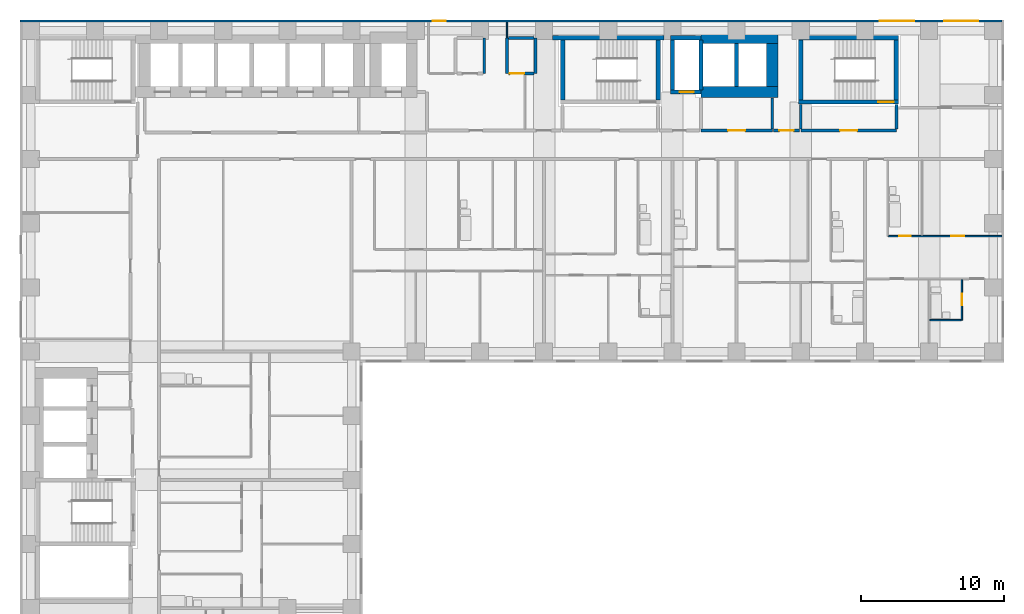
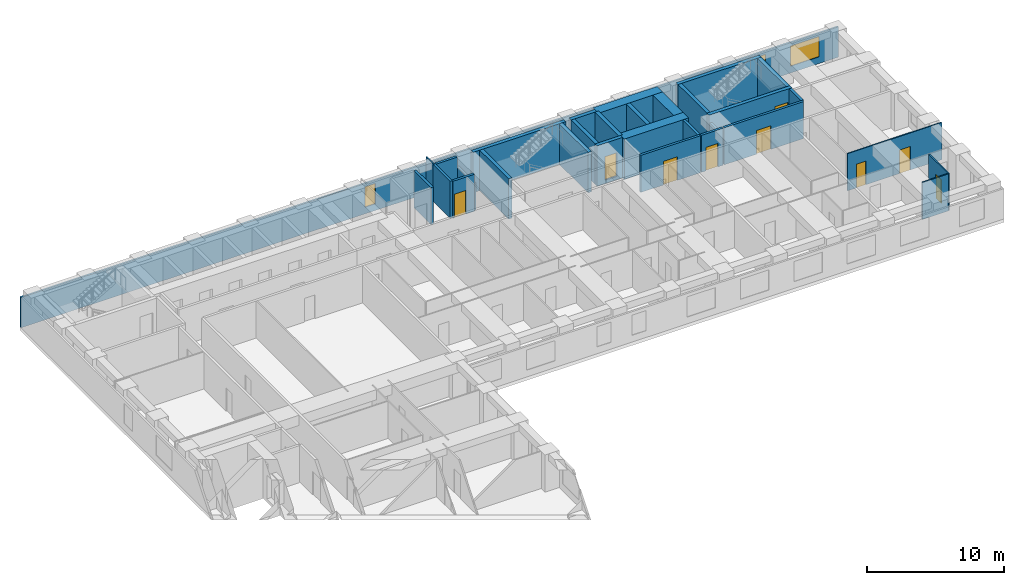
# One storey, part 8 of 12: 31 walls, 9 doors, 3 windows, 12 openings.
"""IFC4 building model written with IfcOpenShell, lengths in metres."""

from ifc_helpers import new_model, si_unit, direction, frame, frame_2d, origin, place, context, subcontext, project, spatial, rectangle, extrude, material, layer, layer_set, type_object, element, fill, save


model = new_model("IFC4")

# Units and contexts
model_context = context("Model", 3, precision=1e-05, world=origin(), true_north=direction((0.0, 1.0)))
body_context = subcontext(model_context, "Body", "Model", "MODEL_VIEW")
ifc_project = project(units=[si_unit("LENGTHUNIT", "METRE"), si_unit("AREAUNIT", "SQUARE_METRE"), si_unit("VOLUMEUNIT", "CUBIC_METRE"), si_unit("PLANEANGLEUNIT", "RADIAN"), si_unit("MASSUNIT", "GRAM", prefix="KILO")], contexts=[model_context])

# Site, building, storey
site_placement = place(None, origin())
site = spatial("IfcSite", under=ifc_project, at=site_placement, CompositionType="ELEMENT")
building_placement = place(site_placement, origin())
building = spatial("IfcBuilding", under=site, at=building_placement, Name="Firuza Court", CompositionType="ELEMENT")
storey_placement = place(building_placement, frame((0.0, 0.0, 65.0)))
storey = spatial("IfcBuildingStorey", under=building, at=storey_placement, Name="L15", CompositionType="ELEMENT", Elevation=65.0)

# Wall
ifc_material_1 = material(Name="Moisture-resistant gypsum board partition")
ifc_layer_1 = layer(ifc_material_1, 0.10009765625)
ifc_layer_set_1 = layer_set([ifc_layer_1], Name="Moisture-resistant gypsum board partition")
wall_type_1 = type_object("IfcWallType", Name="Bathroom partition 100", PredefinedType="PLUMBINGWALL", material=ifc_layer_set_1)
wall_1_placement = place(storey_placement, frame((63.050048828125, 38.199951171875, 0.0), z_axis=(0.0, 0.0, 1.0), x_axis=(1.0, 0.0, 0.0)))
element("IfcWall", 1, at=wall_1_placement, inside=storey, type_object=wall_type_1, Name="Bathroom partition 100 L15", PredefinedType="PLUMBINGWALL", context=body_context, shape_type="SweptSolid", body=[
    extrude(rectangle(XDim=2.199951171875, YDim=0.10009765625, at=frame_2d((1.10009765625, 0.0))), origin(), (0.0, 0.0, 1.0), 3.300048828125),
])

# Wall, opening, door
wall_2_placement = place(storey_placement, frame((65.300048828125, 38.199951171875, 0.0), z_axis=(0.0, 0.0, 1.0), x_axis=(0.0, 1.0, 0.0)))
wall_2 = element("IfcWall", 2, at=wall_2_placement, inside=storey, type_object=wall_type_1, Name="Bathroom partition 100 L15", PredefinedType="PLUMBINGWALL", context=body_context, shape_type="SweptSolid", body=[
    extrude(rectangle(XDim=2.85009765625, YDim=0.10009765625, at=frame_2d((1.425048828125, 0.0))), origin(), (0.0, 0.0, 1.0), 3.300048828125),
])
opening_1_placement = place(wall_2_placement, frame((1.050048828125, 0.0, 0.0)))
opening_1 = element("IfcOpeningElement", 3, at=opening_1_placement, cuts=wall_2, Name="Opening D15045", PredefinedType="OPENING", context=body_context, shape_type="SweptSolid", body=[
    extrude(rectangle(XDim=0.800048828125, YDim=2.10009765625, at=frame_2d((0.39990234375, 1.050048828125))), frame((0.0, 0.06201171875, 0.0), z_axis=(0.0, -1.0, 0.0), x_axis=(1.0, 0.0, 0.0)), (0.0, 0.0, 1.0), 0.1240234375),
])
ifc_material_2 = material(Name="Timber door leaf in hardwood frame", Category="wood")
door_type_1 = type_object("IfcDoorType", Name="Bathroom door 800", OperationType="SINGLE_SWING_LEFT", PredefinedType="DOOR", material=ifc_material_2)
door_1_placement = place(opening_1_placement, origin())
door_1 = element("IfcDoor", 4, at=door_1_placement, inside=storey, type_object=door_type_1, Name="En-suite door", OperationType="SINGLE_SWING_LEFT", OverallHeight=2.10009765625, OverallWidth=0.800048828125, PredefinedType="DOOR", context=body_context, shape_type="SweptSolid", body=[
    extrude(rectangle(XDim=0.800048828125, YDim=2.10009765625, at=frame_2d((0.39990234375, 1.050048828125))), frame((0.0, 0.02490234375, 0.0), z_axis=(0.0, -1.0, 0.0), x_axis=(1.0, 0.0, 0.0)), (0.0, 0.0, 1.0), 0.050048828125),
])
fill(opening_1, door_1)

# Walls
ifc_material_3 = material(Name="Concrete C60/75", Category="concrete")
ifc_layer_2 = layer(ifc_material_3, 0.300048828125)
ifc_layer_set_2 = layer_set([ifc_layer_2], Name="Concrete C60/75")
wall_type_2 = type_object("IfcWallType", Name="Core wall 300 C60/75", PredefinedType="SHEAR", material=ifc_layer_set_2)
wall_3_placement = place(storey_placement, frame((36.60009765625, 58.0, -0.300048828125), z_axis=(0.0, 0.0, 1.0), x_axis=(1.0, 0.0, 0.0)))
element("IfcWall", 5, at=wall_3_placement, inside=storey, type_object=wall_type_2, Name="Core wall stair L15", PredefinedType="SHEAR", context=body_context, shape_type="SweptSolid", body=[
    extrude(rectangle(XDim=7.7998046875, YDim=0.300048828125, at=frame_2d((3.89990234375, 0.0))), origin(), (0.0, 0.0, 1.0), 3.60009765625),
])
for number, where, z_axis, x_axis, name in (
    (6, (37.300048828125, 53.64990234375, -0.300048828125), (0.0, 0.0, 1.0), (0.0, 1.0, 0.0), "Core wall stair L15"),
    (7, (44.0, 53.64990234375, -0.300048828125), (0.0, 0.0, 1.0), (0.0, 1.0, 0.0), "Core wall stair L15"),
):
    element("IfcWall", number, at=place(storey_placement, frame(where, z_axis=z_axis, x_axis=x_axis)), inside=storey, type_object=wall_type_2, Name=name, PredefinedType="SHEAR", context=body_context, shape_type="SweptSolid", body=[
        extrude(rectangle(XDim=4.2001953125, YDim=0.300048828125, at=frame_2d((2.10009765625, 0.0))), origin(), (0.0, 0.0, 1.0), 3.60009765625),
    ])

# Wall, opening, door
wall_4_placement = place(storey_placement, frame((44.85009765625, 54.199951171875, -0.300048828125), z_axis=(0.0, 0.0, 1.0), x_axis=(1.0, 0.0, 0.0)))
wall_4 = element("IfcWall", 8, at=wall_4_placement, inside=storey, type_object=wall_type_2, Name="Core wall riser L15", PredefinedType="SHEAR", context=body_context, shape_type="SweptSolid", body=[
    extrude(rectangle(XDim=2.14990234375, YDim=0.300048828125, at=frame_2d((1.074951171875, 0.0))), origin(), (0.0, 0.0, 1.0), 3.60009765625),
])
opening_2_placement = place(wall_4_placement, frame((0.64990234375, 0.0, 0.300048828125)))
opening_2 = element("IfcOpeningElement", 9, at=opening_2_placement, cuts=wall_4, Name="Opening D15011", PredefinedType="OPENING", context=body_context, shape_type="SweptSolid", body=[
    extrude(rectangle(XDim=1.0, YDim=2.10009765625, at=frame_2d((0.5, 1.050048828125))), frame((0.0, 0.162109375, 0.0), z_axis=(0.0, -1.0, 0.0), x_axis=(1.0, 0.0, 0.0)), (0.0, 0.0, 1.0), 0.323974609375),
])
ifc_material_4 = material(Name="Timber door leaf in hardwood frame", Category="wood")
door_type_2 = type_object("IfcDoorType", Name="Riser door 1000", OperationType="SINGLE_SWING_LEFT", PredefinedType="DOOR", material=ifc_material_4)
door_2_placement = place(opening_2_placement, origin())
door_2 = element("IfcDoor", 10, at=door_2_placement, inside=storey, type_object=door_type_2, Name="Riser door R3", OperationType="SINGLE_SWING_LEFT", OverallHeight=2.10009765625, OverallWidth=1.0, PredefinedType="DOOR", context=body_context, shape_type="SweptSolid", body=[
    extrude(rectangle(XDim=1.0, YDim=2.10009765625, at=frame_2d((0.5, 1.050048828125))), frame((0.0, 0.02490234375, 0.0), z_axis=(0.0, -1.0, 0.0), x_axis=(1.0, 0.0, 0.0)), (0.0, 0.0, 1.0), 0.050048828125),
])
fill(opening_2, door_2)

# Walls
wall_5_placement = place(storey_placement, frame((44.85009765625, 58.0, -0.300048828125), z_axis=(0.0, 0.0, 1.0), x_axis=(1.0, 0.0, 0.0)))
element("IfcWall", 11, at=wall_5_placement, inside=storey, type_object=wall_type_2, Name="Core wall riser L15", PredefinedType="SHEAR", context=body_context, shape_type="SweptSolid", body=[
    extrude(rectangle(XDim=2.14990234375, YDim=0.300048828125, at=frame_2d((1.074951171875, 0.0))), origin(), (0.0, 0.0, 1.0), 3.60009765625),
])
for number, where, z_axis, x_axis, name in (
    (12, (45.0, 54.35009765625, -0.300048828125), (0.0, 0.0, 1.0), (0.0, 1.0, 0.0), "Core wall riser L15"),
    (13, (47.0, 54.35009765625, -0.300048828125), (0.0, 0.0, 1.0), (0.0, 1.0, 0.0), "Core wall lift shaft L15"),
):
    element("IfcWall", number, at=place(storey_placement, frame(where, z_axis=z_axis, x_axis=x_axis)), inside=storey, type_object=wall_type_2, Name=name, PredefinedType="SHEAR", context=body_context, shape_type="SweptSolid", body=[
        extrude(rectangle(XDim=3.5, YDim=0.300048828125, at=frame_2d((1.75, 0.0))), origin(), (0.0, 0.0, 1.0), 3.60009765625),
    ])
wall_6_placement = place(storey_placement, frame((49.5, 54.60009765625, -0.300048828125), z_axis=(0.0, 0.0, 1.0), x_axis=(0.0, 1.0, 0.0)))
element("IfcWall", 14, at=wall_6_placement, inside=storey, type_object=wall_type_2, Name="Core wall lift shaft L15", PredefinedType="SHEAR", context=body_context, shape_type="SweptSolid", body=[
    extrude(rectangle(XDim=3.0, YDim=0.300048828125, at=frame_2d((1.5, 0.0))), origin(), (0.0, 0.0, 1.0), 3.60009765625),
])

# Wall, opening, door
wall_7_placement = place(storey_placement, frame((53.85009765625, 53.5, -0.300048828125), z_axis=(0.0, 0.0, 1.0), x_axis=(1.0, 0.0, 0.0)))
wall_7 = element("IfcWall", 15, at=wall_7_placement, inside=storey, type_object=wall_type_2, Name="Core wall stair L15", PredefinedType="SHEAR", context=body_context, shape_type="SweptSolid", body=[
    extrude(rectangle(XDim=7.0, YDim=0.300048828125, at=frame_2d((3.5, 0.0))), origin(), (0.0, 0.0, 1.0), 3.60009765625),
])
opening_3_placement = place(wall_7_placement, frame((5.580078125, 0.0, 0.300048828125)))
opening_3 = element("IfcOpeningElement", 16, at=opening_3_placement, cuts=wall_7, Name="Opening D15017", PredefinedType="OPENING", context=body_context, shape_type="SweptSolid", body=[
    extrude(rectangle(XDim=1.10009765625, YDim=2.10009765625, at=frame_2d((0.550048828125, 1.050048828125))), frame((0.0, 0.162109375, 0.0), z_axis=(0.0, -1.0, 0.0), x_axis=(1.0, 0.0, 0.0)), (0.0, 0.0, 1.0), 0.323974609375),
])
ifc_material_5 = material(Name="Timber door leaf in hardwood frame", Category="wood")
door_type_3 = type_object("IfcDoorType", Name="Stair door 1100", OperationType="SINGLE_SWING_LEFT", PredefinedType="DOOR", material=ifc_material_5)
door_3_placement = place(opening_3_placement, origin())
door_3 = element("IfcDoor", 17, at=door_3_placement, inside=storey, type_object=door_type_3, Name="Stair door S4", OperationType="SINGLE_SWING_RIGHT", OverallHeight=2.10009765625, OverallWidth=1.10009765625, PredefinedType="DOOR", context=body_context, shape_type="SweptSolid", body=[
    extrude(rectangle(XDim=1.10009765625, YDim=2.10009765625, at=frame_2d((0.550048828125, 1.050048828125))), frame((0.0, 0.02490234375, 0.0), z_axis=(0.0, -1.0, 0.0), x_axis=(1.0, 0.0, 0.0)), (0.0, 0.0, 1.0), 0.050048828125),
])
fill(opening_3, door_3)

# Walls
wall_8_placement = place(storey_placement, frame((53.85009765625, 58.0, -0.300048828125), z_axis=(0.0, 0.0, 1.0), x_axis=(1.0, 0.0, 0.0)))
element("IfcWall", 18, at=wall_8_placement, inside=storey, type_object=wall_type_2, Name="Core wall stair L15", PredefinedType="SHEAR", context=body_context, shape_type="SweptSolid", body=[
    extrude(rectangle(XDim=7.0, YDim=0.300048828125, at=frame_2d((3.5, 0.0))), origin(), (0.0, 0.0, 1.0), 3.60009765625),
])
for number, where, z_axis, x_axis, name in (
    (19, (54.0, 53.64990234375, -0.300048828125), (0.0, 0.0, 1.0), (0.0, 1.0, 0.0), "Core wall stair L15"),
    (20, (60.699951171875, 53.64990234375, -0.300048828125), (0.0, 0.0, 1.0), (0.0, 1.0, 0.0), "Core wall stair L15"),
):
    element("IfcWall", number, at=place(storey_placement, frame(where, z_axis=z_axis, x_axis=x_axis)), inside=storey, type_object=wall_type_2, Name=name, PredefinedType="SHEAR", context=body_context, shape_type="SweptSolid", body=[
        extrude(rectangle(XDim=4.2001953125, YDim=0.300048828125, at=frame_2d((2.10009765625, 0.0))), origin(), (0.0, 0.0, 1.0), 3.60009765625),
    ])
ifc_layer_3 = layer(ifc_material_3, 0.800048828125)
ifc_layer_set_3 = layer_set([ifc_layer_3], Name="Concrete C60/75")
wall_type_3 = type_object("IfcWallType", Name="Core wall 800 C60/75", PredefinedType="SHEAR", material=ifc_layer_set_3)
for number, where, z_axis, x_axis, name in (
    (21, (47.0, 54.199951171875, -0.300048828125), (0.0, 0.0, 1.0), (1.0, 0.0, 0.0), "Core wall lift shaft L15"),
    (22, (47.0, 58.0, -0.300048828125), (0.0, 0.0, 1.0), (1.0, 0.0, 0.0), "Core wall lift shaft L15"),
):
    element("IfcWall", number, at=place(storey_placement, frame(where, z_axis=z_axis, x_axis=x_axis)), inside=storey, type_object=wall_type_3, Name=name, PredefinedType="SHEAR", context=body_context, shape_type="SweptSolid", body=[
        extrude(rectangle(XDim=5.39990234375, YDim=0.800048828125, at=frame_2d((2.699951171875, 0.0))), origin(), (0.0, 0.0, 1.0), 3.60009765625),
    ])
wall_9_placement = place(storey_placement, frame((52.0, 54.60009765625, -0.300048828125), z_axis=(0.0, 0.0, 1.0), x_axis=(0.0, 1.0, 0.0)))
element("IfcWall", 23, at=wall_9_placement, inside=storey, type_object=wall_type_3, Name="Core wall lift shaft L15", PredefinedType="SHEAR", context=body_context, shape_type="SweptSolid", body=[
    extrude(rectangle(XDim=3.0, YDim=0.800048828125, at=frame_2d((1.5, 0.0))), origin(), (0.0, 0.0, 1.0), 3.60009765625),
])

# Wall, opening, door
ifc_material_6 = material(Name="Blockwork, plastered both sides", Category="masonry")
ifc_layer_4 = layer(ifc_material_6, 0.199951171875)
ifc_layer_set_4 = layer_set([ifc_layer_4], Name="Blockwork, plastered both sides")
wall_type_4 = type_object("IfcWallType", Name="Corridor wall 200", PredefinedType="PARTITIONING", material=ifc_layer_set_4)
wall_10_placement = place(storey_placement, frame((52.10009765625, 51.5, 0.0), z_axis=(0.0, 0.0, 1.0), x_axis=(1.0, 0.0, 0.0)))
wall_10 = element("IfcWall", 24, at=wall_10_placement, inside=storey, type_object=wall_type_4, Name="Corridor wall 200 L15", PredefinedType="PARTITIONING", context=body_context, shape_type="SweptSolid", body=[
    extrude(rectangle(XDim=1.7998046875, YDim=0.199951171875, at=frame_2d((0.89990234375, 0.0))), origin(), (0.0, 0.0, 1.0), 3.300048828125),
])
opening_4_placement = place(wall_10_placement, frame((0.39990234375, 0.0, 0.0)))
opening_4 = element("IfcOpeningElement", 25, at=opening_4_placement, cuts=wall_10, Name="Opening D15078", PredefinedType="OPENING", context=body_context, shape_type="SweptSolid", body=[
    extrude(rectangle(XDim=1.0, YDim=2.10009765625, at=frame_2d((0.5, 1.050048828125))), frame((0.0, 0.11181640625, 0.0), z_axis=(0.0, -1.0, 0.0), x_axis=(1.0, 0.0, 0.0)), (0.0, 0.0, 1.0), 0.223876953125),
])
ifc_material_7 = material(Name="Timber door leaf in hardwood frame", Category="wood")
door_type_4 = type_object("IfcDoorType", Name="Store door 1000", OperationType="SINGLE_SWING_LEFT", PredefinedType="DOOR", material=ifc_material_7)
door_4_placement = place(opening_4_placement, origin())
door_4 = element("IfcDoor", 26, at=door_4_placement, inside=storey, type_object=door_type_4, Name="Cleaner's store door", OperationType="SINGLE_SWING_LEFT", OverallHeight=2.10009765625, OverallWidth=1.0, PredefinedType="DOOR", context=body_context, shape_type="SweptSolid", body=[
    extrude(rectangle(XDim=1.0, YDim=2.10009765625, at=frame_2d((0.5, 1.050048828125))), frame((0.0, 0.02490234375, 0.0), z_axis=(0.0, -1.0, 0.0), x_axis=(1.0, 0.0, 0.0)), (0.0, 0.0, 1.0), 0.050048828125),
])
fill(opening_4, door_4)

# Wall, openings, doors
ifc_material_8 = material(Name="Timber stud partition, plasterboard both sides", Category="wood")
ifc_layer_5 = layer(ifc_material_8, 0.10009765625)
ifc_layer_set_5 = layer_set([ifc_layer_5], Name="Timber stud partition, plasterboard both sides")
wall_type_5 = type_object("IfcWallType", Name="Partition wall 100", PredefinedType="PARTITIONING", material=ifc_layer_set_5)
wall_11_placement = place(storey_placement, frame((60.14990234375, 44.10009765625, 0.0), z_axis=(0.0, 0.0, 1.0), x_axis=(1.0, 0.0, 0.0)))
wall_11 = element("IfcWall", 27, at=wall_11_placement, inside=storey, type_object=wall_type_5, Name="Partition wall 100 L15", PredefinedType="PARTITIONING", context=body_context, shape_type="SweptSolid", body=[
    extrude(rectangle(XDim=7.9501953125, YDim=0.10009765625, at=frame_2d((3.97509765625, 0.0))), origin(), (0.0, 0.0, 1.0), 3.300048828125),
])
opening_5_placement = place(wall_11_placement, frame((0.75, 0.0, 0.0)))
opening_5 = element("IfcOpeningElement", 28, at=opening_5_placement, cuts=wall_11, Name="Opening D15067", PredefinedType="OPENING", context=body_context, shape_type="SweptSolid", body=[
    extrude(rectangle(XDim=0.800048828125, YDim=2.10009765625, at=frame_2d((0.39990234375, 1.050048828125))), frame((0.0, 0.06201171875, 0.0), z_axis=(0.0, -1.0, 0.0), x_axis=(1.0, 0.0, 0.0)), (0.0, 0.0, 1.0), 0.1240234375),
])
opening_6_placement = place(wall_11_placement, frame((4.39990234375, 0.0, 0.0)))
opening_6 = element("IfcOpeningElement", 29, at=opening_6_placement, cuts=wall_11, Name="Opening D15068", PredefinedType="OPENING", context=body_context, shape_type="SweptSolid", body=[
    extrude(rectangle(XDim=0.89990234375, YDim=2.10009765625, at=frame_2d((0.449951171875, 1.050048828125))), frame((0.0, 0.06201171875, 0.0), z_axis=(0.0, -1.0, 0.0), x_axis=(1.0, 0.0, 0.0)), (0.0, 0.0, 1.0), 0.1240234375),
])
door_5_placement = place(opening_5_placement, origin())
door_5 = element("IfcDoor", 30, at=door_5_placement, inside=storey, type_object=door_type_1, Name="Bathroom door", OperationType="SINGLE_SWING_LEFT", OverallHeight=2.10009765625, OverallWidth=0.800048828125, PredefinedType="DOOR", context=body_context, shape_type="SweptSolid", body=[
    extrude(rectangle(XDim=0.800048828125, YDim=2.10009765625, at=frame_2d((0.39990234375, 1.050048828125))), frame((0.0, 0.02490234375, 0.0), z_axis=(0.0, -1.0, 0.0), x_axis=(1.0, 0.0, 0.0)), (0.0, 0.0, 1.0), 0.050048828125),
])
fill(opening_5, door_5)
ifc_material_9 = material(Name="Timber door leaf in hardwood frame", Category="wood")
door_type_5 = type_object("IfcDoorType", Name="Room door 900", OperationType="SINGLE_SWING_LEFT", PredefinedType="DOOR", material=ifc_material_9)
door_6_placement = place(opening_6_placement, origin())
door_6 = element("IfcDoor", 31, at=door_6_placement, inside=storey, type_object=door_type_5, Name="Kitchen door", OperationType="SINGLE_SWING_LEFT", OverallHeight=2.10009765625, OverallWidth=0.89990234375, PredefinedType="DOOR", context=body_context, shape_type="SweptSolid", body=[
    extrude(rectangle(XDim=0.89990234375, YDim=2.10009765625, at=frame_2d((0.449951171875, 1.050048828125))), frame((0.0, 0.02490234375, 0.0), z_axis=(0.0, -1.0, 0.0), x_axis=(1.0, 0.0, 0.0)), (0.0, 0.0, 1.0), 0.050048828125),
])
fill(opening_6, door_6)

# Walls
wall_12_placement = place(storey_placement, frame((33.39990234375, 58.0, 0.0), z_axis=(0.0, 0.0, 1.0), x_axis=(0.0, 1.0, 0.0)))
element("IfcWall", 32, at=wall_12_placement, inside=storey, type_object=wall_type_5, Name="Partition wall 100 L15", PredefinedType="PARTITIONING", context=body_context, shape_type="SweptSolid", body=[
    extrude(rectangle(XDim=1.10009765625, YDim=0.10009765625, at=frame_2d((0.550048828125, 0.0))), origin(), (0.0, 0.0, 1.0), 3.300048828125),
])
ifc_material_10 = material(Name="Blockwork, fire-rated", Category="masonry")
ifc_layer_6 = layer(ifc_material_10, 0.199951171875)
ifc_layer_set_6 = layer_set([ifc_layer_6], Name="Blockwork, fire-rated")
wall_type_6 = type_object("IfcWallType", Name="Plant room wall 200", PredefinedType="PARTITIONING", material=ifc_layer_set_6)
for number, where, z_axis, x_axis, name in (
    (33, (31.800048828125, 55.5, 0.0), (0.0, 0.0, 1.0), (0.0, 1.0, 0.0), "Plant room wall 200 L15"),
    (34, (33.39990234375, 55.5, 0.0), (0.0, 0.0, 1.0), (0.0, 1.0, 0.0), "Plant room wall 200 L15"),
):
    element("IfcWall", number, at=place(storey_placement, frame(where, z_axis=z_axis, x_axis=x_axis)), inside=storey, type_object=wall_type_6, Name=name, PredefinedType="PARTITIONING", context=body_context, shape_type="SweptSolid", body=[
        extrude(rectangle(XDim=2.5, YDim=0.199951171875, at=frame_2d((1.25, 0.0))), origin(), (0.0, 0.0, 1.0), 3.300048828125),
    ])

# Wall, opening, door
wall_13_placement = place(storey_placement, frame((33.5, 55.5, 0.0), z_axis=(0.0, 0.0, 1.0), x_axis=(1.0, 0.0, 0.0)))
wall_13 = element("IfcWall", 35, at=wall_13_placement, inside=storey, type_object=wall_type_6, Name="Plant room wall 200 L15", PredefinedType="PARTITIONING", context=body_context, shape_type="SweptSolid", body=[
    extrude(rectangle(XDim=1.800048828125, YDim=0.199951171875, at=frame_2d((0.89990234375, 0.0))), origin(), (0.0, 0.0, 1.0), 3.300048828125),
])
opening_7_placement = place(wall_13_placement, frame((0.10009765625, 0.0, 0.0)))
opening_7 = element("IfcOpeningElement", 36, at=opening_7_placement, cuts=wall_13, Name="Opening D15081", PredefinedType="OPENING", context=body_context, shape_type="SweptSolid", body=[
    extrude(rectangle(XDim=1.0, YDim=2.10009765625, at=frame_2d((0.5, 1.050048828125))), frame((0.0, 0.11181640625, 0.0), z_axis=(0.0, -1.0, 0.0), x_axis=(1.0, 0.0, 0.0)), (0.0, 0.0, 1.0), 0.223876953125),
])
door_7_placement = place(opening_7_placement, origin())
door_7 = element("IfcDoor", 37, at=door_7_placement, inside=storey, type_object=door_type_2, Name="Duct riser door", OperationType="SINGLE_SWING_LEFT", OverallHeight=2.10009765625, OverallWidth=1.0, PredefinedType="DOOR", context=body_context, shape_type="SweptSolid", body=[
    extrude(rectangle(XDim=1.0, YDim=2.10009765625, at=frame_2d((0.5, 1.050048828125))), frame((0.0, 0.02490234375, 0.0), z_axis=(0.0, -1.0, 0.0), x_axis=(1.0, 0.0, 0.0)), (0.0, 0.0, 1.0), 0.050048828125),
])
fill(opening_7, door_7)

# Walls
wall_14_placement = place(storey_placement, frame((35.39990234375, 55.5, 0.0), z_axis=(0.0, 0.0, 1.0), x_axis=(0.0, 1.0, 0.0)))
element("IfcWall", 38, at=wall_14_placement, inside=storey, type_object=wall_type_6, Name="Plant room wall 200 L15", PredefinedType="PARTITIONING", context=body_context, shape_type="SweptSolid", body=[
    extrude(rectangle(XDim=2.5, YDim=0.199951171875, at=frame_2d((1.25, 0.0))), origin(), (0.0, 0.0, 1.0), 2.39990234375),
])
wall_15_placement = place(storey_placement, frame((33.5, 58.0, 0.0), z_axis=(0.0, 0.0, 1.0), x_axis=(1.0, 0.0, 0.0)))
element("IfcWall", 39, at=wall_15_placement, inside=storey, type_object=wall_type_6, Name="Plant room wall 200 L15", PredefinedType="PARTITIONING", context=body_context, shape_type="SweptSolid", body=[
    extrude(rectangle(XDim=1.800048828125, YDim=0.199951171875, at=frame_2d((0.89990234375, 0.0))), origin(), (0.0, 0.0, 1.0), 3.300048828125),
])

# Wall, openings, windows
ifc_material_11 = material(Name="Ceramic tile", Category="ceramic")
ifc_layer_7 = layer(ifc_material_11, 0.02001953125)
ifc_material_12 = material(Name="Mineral wool insulation", Category="insulation")
ifc_layer_8 = layer(ifc_material_12, 0.050048828125)
ifc_material_13 = material(Name="Concrete C40/50 precast", Category="concrete")
ifc_layer_9 = layer(ifc_material_13, 0.080078125)
ifc_layer_set_7 = layer_set([ifc_layer_7, ifc_layer_8, ifc_layer_9], Name="Concrete C40/50 precast")
wall_type_7 = type_object("IfcWallType", Name="Precast cladding wall with turquoise TILE PANEL face 150", PredefinedType="STANDARD", material=ifc_layer_set_7)
wall_16_placement = place(storey_placement, frame((68.10009765625, 59.175048828125, 0.0), z_axis=(0.0, 0.0, 1.0), x_axis=(-1.0, 0.0, 0.0)))
wall_16 = element("IfcWall", 40, at=wall_16_placement, inside=storey, type_object=wall_type_7, Name="Facade wall L15 N", PredefinedType="STANDARD", context=body_context, shape_type="SweptSolid", body=[
    extrude(rectangle(XDim=68.85009765625, YDim=0.14990234375, at=frame_2d((34.425048828125, 0.0))), origin(), (0.0, 0.0, 1.0), 2.699951171875),
])
opening_8_placement = place(wall_16_placement, frame((1.64990234375, 0.0, 0.60009765625)))
opening_8 = element("IfcOpeningElement", 41, at=opening_8_placement, cuts=wall_16, Name="Opening W1", PredefinedType="OPENING", context=body_context, shape_type="SweptSolid", body=[
    extrude(rectangle(XDim=2.39990234375, YDim=1.800048828125, at=frame_2d((1.199951171875, 0.89990234375))), frame((0.0, 0.0869140625, 0.0), z_axis=(0.0, -1.0, 0.0), x_axis=(1.0, 0.0, 0.0)), (0.0, 0.0, 1.0), 0.173828125),
])
opening_9_placement = place(wall_16_placement, frame((6.14990234375, 0.0, 0.60009765625)))
opening_9 = element("IfcOpeningElement", 42, at=opening_9_placement, cuts=wall_16, Name="Opening W1", PredefinedType="OPENING", context=body_context, shape_type="SweptSolid", body=[
    extrude(rectangle(XDim=2.39990234375, YDim=1.800048828125, at=frame_2d((1.199951171875, 0.89990234375))), frame((0.0, 0.0869140625, 0.0), z_axis=(0.0, -1.0, 0.0), x_axis=(1.0, 0.0, 0.0)), (0.0, 0.0, 1.0), 0.173828125),
])
opening_10_placement = place(wall_16_placement, frame((39.001708984375, 0.0, 0.60009765625)))
opening_10 = element("IfcOpeningElement", 43, at=opening_10_placement, cuts=wall_16, Name="Opening W3", PredefinedType="OPENING", context=body_context, shape_type="SweptSolid", body=[
    extrude(rectangle(XDim=0.89990234375, YDim=1.800048828125, at=frame_2d((0.449951171875, 0.89990234375))), frame((0.0, 0.0869140625, 0.0), z_axis=(0.0, -1.0, 0.0), x_axis=(1.0, 0.0, 0.0)), (0.0, 0.0, 1.0), 0.173828125),
])
ifc_material_14 = material(Name="Aluminium frame, triple clear glazing", Category="aluminium")
window_type_1 = type_object("IfcWindowType", Name="Window W1 2400 x 1800", PartitioningType="SINGLE_PANEL", PredefinedType="WINDOW", material=ifc_material_14)
window_1_placement = place(opening_8_placement, origin())
window_1 = element("IfcWindow", 44, at=window_1_placement, inside=storey, type_object=window_type_1, Name="Window L15", OverallHeight=1.800048828125, OverallWidth=2.39990234375, PartitioningType="SINGLE_PANEL", PredefinedType="WINDOW", context=body_context, shape_type="SweptSolid", body=[
    extrude(rectangle(XDim=2.39990234375, YDim=1.800048828125, at=frame_2d((1.199951171875, 0.89990234375))), frame((0.0, 0.030029296875, 0.0), z_axis=(0.0, -1.0, 0.0), x_axis=(1.0, 0.0, 0.0)), (0.0, 0.0, 1.0), 0.06005859375),
])
fill(opening_8, window_1)
window_2_placement = place(opening_9_placement, origin())
window_2 = element("IfcWindow", 45, at=window_2_placement, inside=storey, type_object=window_type_1, Name="Window L15", OverallHeight=1.800048828125, OverallWidth=2.39990234375, PartitioningType="SINGLE_PANEL", PredefinedType="WINDOW", context=body_context, shape_type="SweptSolid", body=[
    extrude(rectangle(XDim=2.39990234375, YDim=1.800048828125, at=frame_2d((1.199951171875, 0.89990234375))), frame((0.0, 0.030029296875, 0.0), z_axis=(0.0, -1.0, 0.0), x_axis=(1.0, 0.0, 0.0)), (0.0, 0.0, 1.0), 0.06005859375),
])
fill(opening_9, window_2)
ifc_material_15 = material(Name="Aluminium frame, triple clear glazing", Category="aluminium")
window_type_2 = type_object("IfcWindowType", Name="Window W3 900 x 1800", PartitioningType="SINGLE_PANEL", PredefinedType="WINDOW", material=ifc_material_15)
window_3_placement = place(opening_10_placement, origin())
window_3 = element("IfcWindow", 46, at=window_3_placement, inside=storey, type_object=window_type_2, Name="Window L15", OverallHeight=1.800048828125, OverallWidth=0.89990234375, PartitioningType="SINGLE_PANEL", PredefinedType="WINDOW", context=body_context, shape_type="SweptSolid", body=[
    extrude(rectangle(XDim=0.89990234375, YDim=1.800048828125, at=frame_2d((0.449951171875, 0.89990234375))), frame((0.0, 0.030029296875, 0.0), z_axis=(0.0, -1.0, 0.0), x_axis=(1.0, 0.0, 0.0)), (0.0, 0.0, 1.0), 0.06005859375),
])
fill(opening_10, window_3)

# Wall, opening, door
ifc_layer_10 = layer(ifc_material_10, 0.199951171875)
ifc_layer_set_8 = layer_set([ifc_layer_10], Name="Blockwork, fire-rated")
wall_type_8 = type_object("IfcWallType", Name="Shaft wall 200", PredefinedType="PARTITIONING", material=ifc_layer_set_8)
wall_17_placement = place(storey_placement, frame((47.0, 51.5, 0.0), z_axis=(0.0, 0.0, 1.0), x_axis=(1.0, 0.0, 0.0)))
wall_17 = element("IfcWall", 47, at=wall_17_placement, inside=storey, type_object=wall_type_8, Name="Shaft wall 200 L15", PredefinedType="PARTITIONING", context=body_context, shape_type="SweptSolid", body=[
    extrude(rectangle(XDim=5.0, YDim=0.199951171875, at=frame_2d((2.5, 0.0))), origin(), (0.0, 0.0, 1.0), 3.300048828125),
])
opening_11_placement = place(wall_17_placement, frame((1.89990234375, 0.0, 0.0)))
opening_11 = element("IfcOpeningElement", 48, at=opening_11_placement, cuts=wall_17, Name="Opening D15009", PredefinedType="OPENING", context=body_context, shape_type="SweptSolid", body=[
    extrude(rectangle(XDim=1.199951171875, YDim=2.10009765625, at=frame_2d((0.60009765625, 1.050048828125))), frame((0.0, 0.11181640625, 0.0), z_axis=(0.0, -1.0, 0.0), x_axis=(1.0, 0.0, 0.0)), (0.0, 0.0, 1.0), 0.223876953125),
])
ifc_material_16 = material(Name="Timber door leaf in hardwood frame", Category="wood")
door_type_6 = type_object("IfcDoorType", Name="Lobby door 1200", OperationType="SINGLE_SWING_LEFT", PredefinedType="DOOR", material=ifc_material_16)
door_8_placement = place(opening_11_placement, origin())
door_8 = element("IfcDoor", 49, at=door_8_placement, inside=storey, type_object=door_type_6, Name="Lobby door", OperationType="SINGLE_SWING_LEFT", OverallHeight=2.10009765625, OverallWidth=1.199951171875, PredefinedType="DOOR", context=body_context, shape_type="SweptSolid", body=[
    extrude(rectangle(XDim=1.199951171875, YDim=2.10009765625, at=frame_2d((0.60009765625, 1.050048828125))), frame((0.0, 0.02490234375, 0.0), z_axis=(0.0, -1.0, 0.0), x_axis=(1.0, 0.0, 0.0)), (0.0, 0.0, 1.0), 0.050048828125),
])
fill(opening_11, door_8)

# Wall
wall_18_placement = place(storey_placement, frame((52.0, 51.60009765625, 0.0), z_axis=(0.0, 0.0, 1.0), x_axis=(0.0, 1.0, 0.0)))
element("IfcWall", 50, at=wall_18_placement, inside=storey, type_object=wall_type_8, Name="Shaft wall 200 L15", PredefinedType="PARTITIONING", context=body_context, shape_type="SweptSolid", body=[
    extrude(rectangle(XDim=2.179931640625, YDim=0.199951171875, at=frame_2d((1.08984375, 0.0))), origin(), (0.0, 0.0, 1.0), 3.300048828125),
])

# Wall, opening, door
wall_19_placement = place(storey_placement, frame((54.0, 51.5, 0.0), z_axis=(0.0, 0.0, 1.0), x_axis=(1.0, 0.0, 0.0)))
wall_19 = element("IfcWall", 51, at=wall_19_placement, inside=storey, type_object=wall_type_8, Name="Shaft wall 200 L15", PredefinedType="PARTITIONING", context=body_context, shape_type="SweptSolid", body=[
    extrude(rectangle(XDim=6.699951171875, YDim=0.199951171875, at=frame_2d((3.35009765625, 0.0))), origin(), (0.0, 0.0, 1.0), 3.300048828125),
])
opening_12_placement = place(wall_19_placement, frame((2.75, 0.0, 0.0)))
opening_12 = element("IfcOpeningElement", 52, at=opening_12_placement, cuts=wall_19, Name="Opening D15007", PredefinedType="OPENING", context=body_context, shape_type="SweptSolid", body=[
    extrude(rectangle(XDim=1.199951171875, YDim=2.10009765625, at=frame_2d((0.60009765625, 1.050048828125))), frame((0.0, 0.11181640625, 0.0), z_axis=(0.0, -1.0, 0.0), x_axis=(1.0, 0.0, 0.0)), (0.0, 0.0, 1.0), 0.223876953125),
])
door_9_placement = place(opening_12_placement, origin())
door_9 = element("IfcDoor", 53, at=door_9_placement, inside=storey, type_object=door_type_6, Name="Lobby door", OperationType="SINGLE_SWING_LEFT", OverallHeight=2.10009765625, OverallWidth=1.199951171875, PredefinedType="DOOR", context=body_context, shape_type="SweptSolid", body=[
    extrude(rectangle(XDim=1.199951171875, YDim=2.10009765625, at=frame_2d((0.60009765625, 1.050048828125))), frame((0.0, 0.02490234375, 0.0), z_axis=(0.0, -1.0, 0.0), x_axis=(1.0, 0.0, 0.0)), (0.0, 0.0, 1.0), 0.050048828125),
])
fill(opening_12, door_9)

# Walls
wall_20_placement = place(storey_placement, frame((60.699951171875, 51.60009765625, 0.0), z_axis=(0.0, 0.0, 1.0), x_axis=(0.0, 1.0, 0.0)))
element("IfcWall", 54, at=wall_20_placement, inside=storey, type_object=wall_type_8, Name="Shaft wall 200 L15", PredefinedType="PARTITIONING", context=body_context, shape_type="SweptSolid", body=[
    extrude(rectangle(XDim=1.72998046875, YDim=0.199951171875, at=frame_2d((0.864990234375, 0.0))), origin(), (0.0, 0.0, 1.0), 3.300048828125),
])
wall_21_placement = place(storey_placement, frame((54.0, 51.60009765625, 0.0), z_axis=(0.0, 0.0, 1.0), x_axis=(0.0, 1.0, 0.0)))
element("IfcWall", 55, at=wall_21_placement, inside=storey, type_object=wall_type_8, Name="Shaft wall 200 L15", PredefinedType="PARTITIONING", context=body_context, shape_type="SweptSolid", body=[
    extrude(rectangle(XDim=1.72998046875, YDim=0.199951171875, at=frame_2d((0.864990234375, 0.0))), origin(), (0.0, 0.0, 1.0), 2.60009765625),
])

save(model, "model.ifc")
